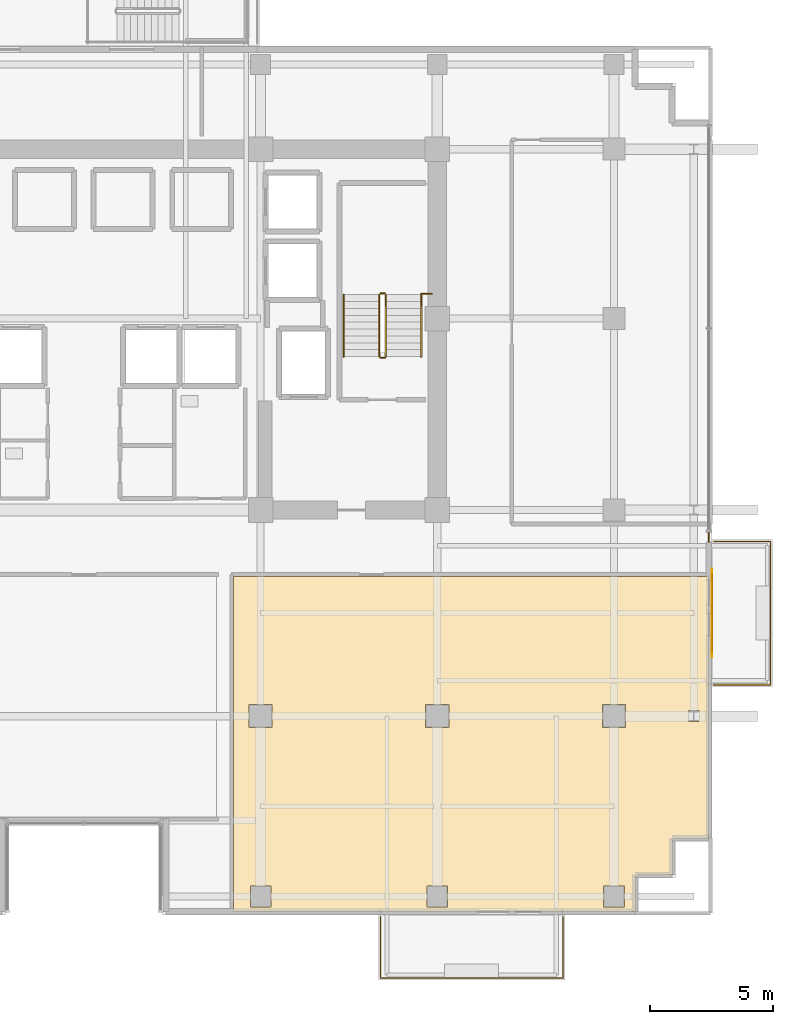
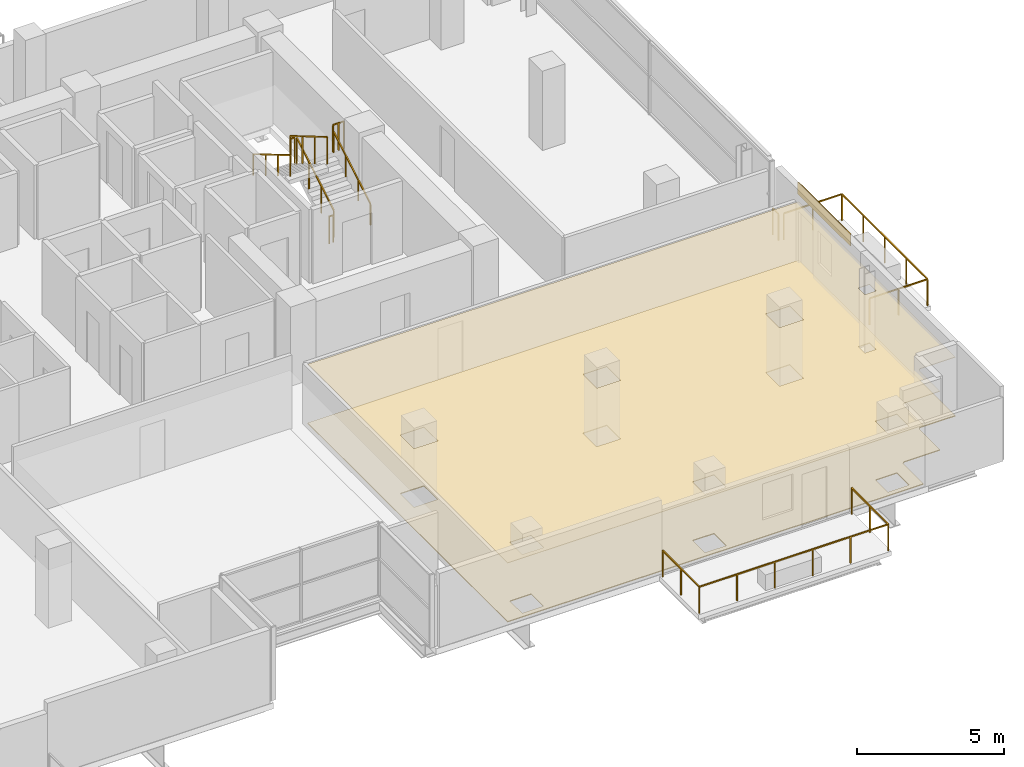
# One storey, part 25 of 27: 10 railings, 3 coverings, 1 shading device.
"""IFC4 building model written with IfcOpenShell, lengths in metres."""

from ifc_helpers import new_model, si_unit, direction, frame, origin, origin_2d, place, context, subcontext, project, spatial, polyline, rectangle, outline, extrude, source, transform, mapped, material, layer, layer_set, type_object, element, save


model = new_model("IFC4")

# Units and contexts
model_context = context("Model", 3, precision=1e-05, world=origin(), true_north=direction((0.0, 1.0)))
body_context = subcontext(model_context, "Body", "Model", "MODEL_VIEW")
ifc_project = project(units=[si_unit("LENGTHUNIT", "METRE"), si_unit("AREAUNIT", "SQUARE_METRE"), si_unit("VOLUMEUNIT", "CUBIC_METRE"), si_unit("PLANEANGLEUNIT", "RADIAN"), si_unit("MASSUNIT", "GRAM", prefix="KILO")], contexts=[model_context])

# Site, building, storey
site_placement = place(None, origin())
site = spatial("IfcSite", under=ifc_project, at=site_placement, CompositionType="ELEMENT")
building_placement = place(site_placement, origin())
building = spatial("IfcBuilding", under=site, at=building_placement, Name="Zarnakvel Exchange Tower", CompositionType="ELEMENT")
storey_placement = place(building_placement, frame((0.0, 0.0, 86.800048828125)))
storey = spatial("IfcBuildingStorey", under=building, at=storey_placement, Name="L23", CompositionType="ELEMENT", Elevation=86.800048828125)

# Coverings
ifc_material_1 = material(Name="Perforated Bronze Acoustic Metal Ceiling", Category="aluminium")
ifc_layer_1 = layer(ifc_material_1, 0.02001953125)
ifc_layer_set_1 = layer_set([ifc_layer_1], Name="Perforated Bronze Acoustic Metal Ceiling")
covering_type_1 = type_object("IfcCoveringType", Name="CLG-01", PredefinedType="CEILING", material=ifc_layer_set_1)
covering_1_placement = place(storey_placement, frame((0.0, 0.0, 2.454833984375)))
element("IfcCovering", 1, at=covering_1_placement, inside=storey, type_object=covering_type_1, Name="L23 Suspended Acoustic Ceiling (Executive Conference Room)", PredefinedType="CEILING", context=body_context, shape_type="SweptSolid", body=[
    extrude(outline(polyline([(6.10009765625, -3.909912109375), (25.449951171875, -3.909912109375), (25.449951171875, -14.580078125), (24.10009765625, -14.580078125), (24.088134765625, -14.58056640625), (24.07666015625, -14.582275390625), (24.065185546875, -14.585205078125), (24.05419921875, -14.589111328125), (24.04345703125, -14.59423828125), (24.033447265625, -14.600341796875), (24.02392578125, -14.607177734375), (24.01513671875, -14.615234375), (24.00732421875, -14.623779296875), (24.000244140625, -14.63330078125), (23.994140625, -14.643310546875), (23.989013671875, -14.654052734375), (23.985107421875, -14.665283203125), (23.982421875, -14.676513671875), (23.98046875, -14.688232421875), (23.97998046875, -14.699951171875), (23.97998046875, -16.080078125), (22.60009765625, -16.080078125), (22.588134765625, -16.08056640625), (22.57666015625, -16.082275390625), (22.565185546875, -16.085205078125), (22.55419921875, -16.089111328125), (22.54345703125, -16.09423828125), (22.533447265625, -16.100341796875), (22.52392578125, -16.107177734375), (22.51513671875, -16.115234375), (22.50732421875, -16.123779296875), (22.500244140625, -16.13330078125), (22.494140625, -16.143310546875), (22.489013671875, -16.154052734375), (22.485107421875, -16.165283203125), (22.482421875, -16.176513671875), (22.48046875, -16.188232421875), (22.47998046875, -16.199951171875), (22.47998046875, -17.550048828125), (6.10009765625, -17.550048828125), (6.10009765625, -3.909912109375)]), holes=[polyline([(25.072021484375, -9.823486328125), (25.072021484375, -9.37646484375), (24.6279296875, -9.37646484375), (24.6279296875, -9.823486328125), (25.072021484375, -9.823486328125)]), polyline([(22.070068359375, -10.070068359375), (22.070068359375, -9.1298828125), (21.1298828125, -9.1298828125), (21.1298828125, -10.070068359375), (22.070068359375, -10.070068359375)]), polyline([(22.02001953125, -17.3701171875), (22.02001953125, -16.530029296875), (21.179931640625, -16.530029296875), (21.179931640625, -17.3701171875), (22.02001953125, -17.3701171875)]), polyline([(13.929931640625, -10.070068359375), (14.8701171875, -10.070068359375), (14.8701171875, -9.1298828125), (13.929931640625, -9.1298828125), (13.929931640625, -10.070068359375)]), polyline([(14.820068359375, -17.3701171875), (14.820068359375, -16.530029296875), (13.97998046875, -16.530029296875), (13.97998046875, -17.3701171875), (14.820068359375, -17.3701171875)]), polyline([(6.72998046875, -10.070068359375), (7.669921875, -10.070068359375), (7.669921875, -9.1298828125), (6.72998046875, -9.1298828125), (6.72998046875, -10.070068359375)]), polyline([(7.6201171875, -17.3701171875), (7.6201171875, -16.530029296875), (6.780029296875, -16.530029296875), (6.780029296875, -17.3701171875), (7.6201171875, -17.3701171875)])]), origin(), (0.0, 0.0, 1.0), 0.02001953125),
])
ifc_material_2 = material(Name="Heavy-Duty Raised Access Floor Panel", Category="steel")
ifc_layer_2 = layer(ifc_material_2, 0.034912109375)
ifc_layer_set_2 = layer_set([ifc_layer_2], Name="Heavy-Duty Raised Access Floor Panel")
covering_type_2 = type_object("IfcCoveringType", Name="FLR-02", PredefinedType="FLOORING", material=ifc_layer_set_2)
covering_2_placement = place(storey_placement, origin())
element("IfcCovering", 2, at=covering_2_placement, inside=storey, type_object=covering_type_2, Name="L23 Floor Finish (Executive Conference Room)", PredefinedType="FLOORING", context=body_context, shape_type="SweptSolid", body=[
    extrude(outline(polyline([(6.10009765625, -3.909912109375), (25.449951171875, -3.909912109375), (25.449951171875, -14.580078125), (24.10009765625, -14.580078125), (24.088134765625, -14.58056640625), (24.07666015625, -14.582275390625), (24.065185546875, -14.585205078125), (24.05419921875, -14.589111328125), (24.04345703125, -14.59423828125), (24.033447265625, -14.600341796875), (24.02392578125, -14.607177734375), (24.01513671875, -14.615234375), (24.00732421875, -14.623779296875), (24.000244140625, -14.63330078125), (23.994140625, -14.643310546875), (23.989013671875, -14.654052734375), (23.985107421875, -14.665283203125), (23.982421875, -14.676513671875), (23.98046875, -14.688232421875), (23.97998046875, -14.699951171875), (23.97998046875, -16.080078125), (22.60009765625, -16.080078125), (22.588134765625, -16.08056640625), (22.57666015625, -16.082275390625), (22.565185546875, -16.085205078125), (22.55419921875, -16.089111328125), (22.54345703125, -16.09423828125), (22.533447265625, -16.100341796875), (22.52392578125, -16.107177734375), (22.51513671875, -16.115234375), (22.50732421875, -16.123779296875), (22.500244140625, -16.13330078125), (22.494140625, -16.143310546875), (22.489013671875, -16.154052734375), (22.485107421875, -16.165283203125), (22.482421875, -16.176513671875), (22.48046875, -16.188232421875), (22.47998046875, -16.199951171875), (22.47998046875, -17.550048828125), (6.10009765625, -17.550048828125), (6.10009765625, -3.909912109375)]), holes=[polyline([(25.072021484375, -9.823486328125), (25.072021484375, -9.37646484375), (24.6279296875, -9.37646484375), (24.6279296875, -9.823486328125), (25.072021484375, -9.823486328125)]), polyline([(22.070068359375, -10.070068359375), (22.070068359375, -9.1298828125), (21.1298828125, -9.1298828125), (21.1298828125, -10.070068359375), (22.070068359375, -10.070068359375)]), polyline([(22.02001953125, -17.3701171875), (22.02001953125, -16.530029296875), (21.179931640625, -16.530029296875), (21.179931640625, -17.3701171875), (22.02001953125, -17.3701171875)]), polyline([(13.929931640625, -10.070068359375), (14.8701171875, -10.070068359375), (14.8701171875, -9.1298828125), (13.929931640625, -9.1298828125), (13.929931640625, -10.070068359375)]), polyline([(14.820068359375, -17.3701171875), (14.820068359375, -16.530029296875), (13.97998046875, -16.530029296875), (13.97998046875, -17.3701171875), (14.820068359375, -17.3701171875)]), polyline([(6.72998046875, -10.070068359375), (7.669921875, -10.070068359375), (7.669921875, -9.1298828125), (6.72998046875, -9.1298828125), (6.72998046875, -10.070068359375)]), polyline([(7.6201171875, -17.3701171875), (7.6201171875, -16.530029296875), (6.780029296875, -16.530029296875), (6.780029296875, -17.3701171875), (7.6201171875, -17.3701171875)])]), origin(), (0.0, 0.0, 1.0), 0.034912109375),
])

# Railings
ifc_material_3 = material(Name="Architectural Bronze Anodised Aluminium", Category="aluminium")
railing_type_1 = type_object("IfcRailingType", Name="GR-02", PredefinedType="GUARDRAIL", material=ifc_material_3)
railing_1_placement = place(storey_placement, frame((12.080078125, -17.780029296875, -0.06005859375)))
element("IfcRailing", 3, at=railing_1_placement, inside=storey, type_object=railing_type_1, Name="L23 Balcony Guardrail BAL-L23-SE", PredefinedType="GUARDRAIL", context=body_context, shape_type="SweptSolid", body=[
    extrude(rectangle(XDim=0.048095703125, YDim=0.048095703125, at=origin_2d()), frame((0.0, 0.0, 1.09619140625), z_axis=(0.0, -1.0, 0.0), x_axis=(1.0, 0.0, 0.0)), (0.0, 0.0, 1.0), 2.489990234375),
    extrude(rectangle(XDim=0.048095703125, YDim=0.048095703125, at=origin_2d()), frame((0.0, -2.489990234375, 1.09619140625), z_axis=(1.0, 0.0, 0.0), x_axis=(0.0, 1.0, 0.0)), (0.0, 0.0, 1.0), 7.43994140625),
    extrude(rectangle(XDim=0.048095703125, YDim=0.048095703125, at=origin_2d()), frame((7.43994140625, -2.489990234375, 1.09619140625), z_axis=(0.0, 1.0, 0.0), x_axis=(-1.0, 0.0, 0.0)), (0.0, 0.0, 1.0), 2.489990234375),
    extrude(rectangle(XDim=0.0419921875, YDim=0.0419921875, at=origin_2d()), origin(), (0.0, 0.0, 1.0), 1.072021484375),
    extrude(rectangle(XDim=0.0419921875, YDim=0.0419921875, at=origin_2d()), frame((0.0, -1.2451171875, 0.0)), (0.0, 0.0, 1.0), 1.072021484375),
    extrude(rectangle(XDim=0.0419921875, YDim=0.0419921875, at=origin_2d()), frame((0.0, -2.489990234375, 0.0)), (0.0, 0.0, 1.0), 1.072021484375),
    extrude(rectangle(XDim=0.0419921875, YDim=0.0419921875, at=origin_2d()), frame((1.488037109375, -2.489990234375, 0.0)), (0.0, 0.0, 1.0), 1.072021484375),
    extrude(rectangle(XDim=0.0419921875, YDim=0.0419921875, at=origin_2d()), frame((2.97607421875, -2.489990234375, 0.0)), (0.0, 0.0, 1.0), 1.072021484375),
    extrude(rectangle(XDim=0.0419921875, YDim=0.0419921875, at=origin_2d()), frame((4.4638671875, -2.489990234375, 0.0)), (0.0, 0.0, 1.0), 1.072021484375),
    extrude(rectangle(XDim=0.0419921875, YDim=0.0419921875, at=origin_2d()), frame((5.951904296875, -2.489990234375, 0.0)), (0.0, 0.0, 1.0), 1.072021484375),
    extrude(rectangle(XDim=0.0419921875, YDim=0.0419921875, at=origin_2d()), frame((7.43994140625, -2.489990234375, 0.0)), (0.0, 0.0, 1.0), 1.072021484375),
    extrude(rectangle(XDim=0.0419921875, YDim=0.0419921875, at=origin_2d()), frame((7.43994140625, -1.2451171875, 0.0)), (0.0, 0.0, 1.0), 1.072021484375),
    extrude(rectangle(XDim=0.0419921875, YDim=0.0419921875, at=origin_2d()), frame((7.43994140625, 0.0, 0.0)), (0.0, 0.0, 1.0), 1.072021484375),
])
railing_2_placement = place(storey_placement, frame((25.679931640625, -8.320068359375, -0.06005859375)))
element("IfcRailing", 4, at=railing_2_placement, inside=storey, type_object=railing_type_1, Name="L23 Balcony Guardrail BAL-L23-E", PredefinedType="GUARDRAIL", context=body_context, shape_type="SweptSolid", body=[
    extrude(rectangle(XDim=0.048095703125, YDim=0.048095703125, at=origin_2d()), frame((0.0, 0.0, 1.09619140625), z_axis=(1.0, 0.0, 0.0), x_axis=(0.0, 1.0, 0.0)), (0.0, 0.0, 1.0), 2.2900390625),
    extrude(rectangle(XDim=0.048095703125, YDim=0.048095703125, at=origin_2d()), frame((2.2900390625, 0.0, 1.09619140625), z_axis=(0.0, 1.0, 0.0), x_axis=(-1.0, 0.0, 0.0)), (0.0, 0.0, 1.0), 5.840087890625),
    extrude(rectangle(XDim=0.048095703125, YDim=0.048095703125, at=origin_2d()), frame((2.2900390625, 5.840087890625, 1.09619140625), z_axis=(-1.0, 0.0, 0.0), x_axis=(0.0, -1.0, 0.0)), (0.0, 0.0, 1.0), 2.2900390625),
    extrude(rectangle(XDim=0.0419921875, YDim=0.0419921875, at=origin_2d()), origin(), (0.0, 0.0, 1.0), 1.072021484375),
    extrude(rectangle(XDim=0.0419921875, YDim=0.0419921875, at=origin_2d()), frame((1.14501953125, 0.0, 0.0)), (0.0, 0.0, 1.0), 1.072021484375),
    extrude(rectangle(XDim=0.0419921875, YDim=0.0419921875, at=origin_2d()), frame((2.2900390625, 0.0, 0.0)), (0.0, 0.0, 1.0), 1.072021484375),
    extrude(rectangle(XDim=0.0419921875, YDim=0.0419921875, at=origin_2d()), frame((2.2900390625, 1.4599609375, 0.0)), (0.0, 0.0, 1.0), 1.072021484375),
    extrude(rectangle(XDim=0.0419921875, YDim=0.0419921875, at=origin_2d()), frame((2.2900390625, 2.919921875, 0.0)), (0.0, 0.0, 1.0), 1.072021484375),
    extrude(rectangle(XDim=0.0419921875, YDim=0.0419921875, at=origin_2d()), frame((2.2900390625, 4.380126953125, 0.0)), (0.0, 0.0, 1.0), 1.072021484375),
    extrude(rectangle(XDim=0.0419921875, YDim=0.0419921875, at=origin_2d()), frame((2.2900390625, 5.840087890625, 0.0)), (0.0, 0.0, 1.0), 1.072021484375),
    extrude(rectangle(XDim=0.0419921875, YDim=0.0419921875, at=origin_2d()), frame((1.14501953125, 5.840087890625, 0.0)), (0.0, 0.0, 1.0), 1.072021484375),
    extrude(rectangle(XDim=0.0419921875, YDim=0.0419921875, at=origin_2d()), frame((0.0, 5.840087890625, 0.0)), (0.0, 0.0, 1.0), 1.072021484375),
])
railing_3_placement = place(storey_placement, frame((25.4599609375, -2.10009765625, 0.0)))
element("IfcRailing", 5, at=railing_3_placement, inside=storey, type_object=railing_type_1, Name="L23 Corner Spandrel Balustrade #11", PredefinedType="GUARDRAIL", context=body_context, shape_type="SweptSolid", body=[
    extrude(rectangle(XDim=0.048095703125, YDim=0.048095703125, at=origin_2d()), frame((0.0, 0.0, 1.09619140625), z_axis=(0.0, -1.0, 0.0), x_axis=(1.0, 0.0, 0.0)), (0.0, 0.0, 1.0), 0.39990234375),
    extrude(rectangle(XDim=0.0419921875, YDim=0.0419921875, at=origin_2d()), origin(), (0.0, 0.0, 1.0), 1.072021484375),
    extrude(rectangle(XDim=0.0419921875, YDim=0.0419921875, at=origin_2d()), frame((0.0, -0.39990234375, 0.0)), (0.0, 0.0, 1.0), 1.072021484375),
])
ifc_material_4 = material(Name="Brushed Stainless Steel", Category="steel")
railing_type_2 = type_object("IfcRailingType", Name="HR-01", PredefinedType="HANDRAIL", material=ifc_material_4)
railing_4_placement = place(storey_placement, frame((13.75, 5.050048828125, 0.1650390625)))
element("IfcRailing", 6, at=railing_4_placement, inside=storey, type_object=railing_type_2, Name="L23 ST-02 stair handrail 1", PredefinedType="HANDRAIL", context=body_context, shape_type="SweptSolid", body=[
    extrude(rectangle(XDim=0.048095703125, YDim=0.048095703125, at=origin_2d()), frame((0.0, 0.0, 0.8759765625), z_axis=(0.0, 0.861560626758, 0.507654692109), x_axis=(-1.0, 0.0, 0.0)), (0.0, 0.0, 1.0), 2.925048828125),
    extrude(rectangle(XDim=0.0419921875, YDim=0.0419921875, at=origin_2d()), origin(), (0.0, 0.0, 1.0), 0.851806640625),
    extrude(rectangle(XDim=0.0419921875, YDim=0.0419921875, at=origin_2d()), frame((0.0, 0.840087890625, 0.494873046875)), (0.0, 0.0, 1.0), 0.851806640625),
    extrude(rectangle(XDim=0.0419921875, YDim=0.0419921875, at=origin_2d()), frame((0.0, 1.679931640625, 0.989990234375)), (0.0, 0.0, 1.0), 0.851806640625),
    extrude(rectangle(XDim=0.0419921875, YDim=0.0419921875, at=origin_2d()), frame((0.0, 2.52001953125, 1.48486328125)), (0.0, 0.0, 1.0), 0.851806640625),
])
railing_5_placement = place(storey_placement, frame((10.590087890625, 7.570068359375, 1.81494140625)))
element("IfcRailing", 7, at=railing_5_placement, inside=storey, type_object=railing_type_2, Name="L23 ST-02 stair handrail 2", PredefinedType="HANDRAIL", context=body_context, shape_type="SweptSolid", body=[
    extrude(rectangle(XDim=0.048095703125, YDim=0.048095703125, at=origin_2d()), frame((0.0, 0.0, 0.8759765625), z_axis=(0.0, -0.86152411907, 0.507716645641), x_axis=(1.0, 0.0, 0.0)), (0.0, 0.0, 1.0), 2.925048828125),
    extrude(rectangle(XDim=0.0419921875, YDim=0.0419921875, at=origin_2d()), origin(), (0.0, 0.0, 1.0), 0.851806640625),
    extrude(rectangle(XDim=0.0419921875, YDim=0.0419921875, at=origin_2d()), frame((0.0, -0.840087890625, 0.4951171875)), (0.0, 0.0, 1.0), 0.851806640625),
    extrude(rectangle(XDim=0.0419921875, YDim=0.0419921875, at=origin_2d()), frame((0.0, -1.679931640625, 0.989990234375)), (0.0, 0.0, 1.0), 0.851806640625),
    extrude(rectangle(XDim=0.0419921875, YDim=0.0419921875, at=origin_2d()), frame((0.0, -2.52001953125, 1.485107421875)), (0.0, 0.0, 1.0), 0.851806640625),
])
railing_type_3 = type_object("IfcRailingType", Name="SG-01", PredefinedType="GUARDRAIL", material=ifc_material_3)
railing_6_placement = place(storey_placement, frame((12.300048828125, 5.050048828125, 0.1650390625)))
element("IfcRailing", 8, at=railing_6_placement, inside=storey, type_object=railing_type_3, Name="L23 ST-02 stair guard 1", PredefinedType="GUARDRAIL", context=body_context, shape_type="SweptSolid", body=[
    extrude(rectangle(XDim=0.048095703125, YDim=0.048095703125, at=origin_2d()), frame((0.0, 0.0, 1.1259765625), z_axis=(0.0, 0.861560626758, 0.507654692109), x_axis=(-1.0, 0.0, 0.0)), (0.0, 0.0, 1.0), 2.925048828125),
    extrude(rectangle(XDim=0.0419921875, YDim=0.0419921875, at=origin_2d()), origin(), (0.0, 0.0, 1.0), 1.101806640625),
    extrude(rectangle(XDim=0.0419921875, YDim=0.0419921875, at=origin_2d()), frame((0.0, 0.840087890625, 0.494873046875)), (0.0, 0.0, 1.0), 1.101806640625),
    extrude(rectangle(XDim=0.0419921875, YDim=0.0419921875, at=origin_2d()), frame((0.0, 1.679931640625, 0.989990234375)), (0.0, 0.0, 1.0), 1.101806640625),
    extrude(rectangle(XDim=0.0419921875, YDim=0.0419921875, at=origin_2d()), frame((0.0, 2.52001953125, 1.48486328125)), (0.0, 0.0, 1.0), 1.101806640625),
])
railing_7_placement = place(storey_placement, frame((12.25, 7.6201171875, 1.64990234375)))
element("IfcRailing", 9, at=railing_7_placement, inside=storey, type_object=railing_type_3, Name="L23 ST-02 stair guard 2", PredefinedType="GUARDRAIL", context=body_context, shape_type="SweptSolid", body=[
    extrude(rectangle(XDim=0.048095703125, YDim=0.048095703125, at=origin_2d()), frame((0.0, 0.0, 1.1259765625), z_axis=(-1.0, 0.0, 0.0), x_axis=(0.0, -1.0, 0.0)), (0.0, 0.0, 1.0), 0.159912109375),
    extrude(rectangle(XDim=0.0419921875, YDim=0.0419921875, at=origin_2d()), origin(), (0.0, 0.0, 1.0), 1.101806640625),
    extrude(rectangle(XDim=0.0419921875, YDim=0.0419921875, at=origin_2d()), frame((-0.159912109375, 0.0, 0.0)), (0.0, 0.0, 1.0), 1.101806640625),
])
railing_8_placement = place(storey_placement, frame((12.0400390625, 7.570068359375, 1.81494140625)))
element("IfcRailing", 10, at=railing_8_placement, inside=storey, type_object=railing_type_3, Name="L23 ST-02 stair guard 3", PredefinedType="GUARDRAIL", context=body_context, shape_type="SweptSolid", body=[
    extrude(rectangle(XDim=0.048095703125, YDim=0.048095703125, at=origin_2d()), frame((0.0, 0.0, 1.1259765625), z_axis=(0.0, -0.86152411907, 0.507716645641), x_axis=(1.0, 0.0, 0.0)), (0.0, 0.0, 1.0), 2.925048828125),
    extrude(rectangle(XDim=0.0419921875, YDim=0.0419921875, at=origin_2d()), origin(), (0.0, 0.0, 1.0), 1.101806640625),
    extrude(rectangle(XDim=0.0419921875, YDim=0.0419921875, at=origin_2d()), frame((0.0, -0.840087890625, 0.4951171875)), (0.0, 0.0, 1.0), 1.101806640625),
    extrude(rectangle(XDim=0.0419921875, YDim=0.0419921875, at=origin_2d()), frame((0.0, -1.679931640625, 0.989990234375)), (0.0, 0.0, 1.0), 1.101806640625),
    extrude(rectangle(XDim=0.0419921875, YDim=0.0419921875, at=origin_2d()), frame((0.0, -2.52001953125, 1.485107421875)), (0.0, 0.0, 1.0), 1.101806640625),
])
railing_9_placement = place(storey_placement, frame((12.25, 5.0, 0.0)))
element("IfcRailing", 11, at=railing_9_placement, inside=storey, type_object=railing_type_3, Name="L23 ST-02 stair guard 4", PredefinedType="GUARDRAIL", context=body_context, shape_type="SweptSolid", body=[
    extrude(rectangle(XDim=0.048095703125, YDim=0.048095703125, at=origin_2d()), frame((0.0, 0.0, 1.1259765625), z_axis=(-1.0, 0.0, 0.0), x_axis=(0.0, -1.0, 0.0)), (0.0, 0.0, 1.0), 0.159912109375),
    extrude(rectangle(XDim=0.0419921875, YDim=0.0419921875, at=origin_2d()), origin(), (0.0, 0.0, 1.0), 1.101806640625),
    extrude(rectangle(XDim=0.0419921875, YDim=0.0419921875, at=origin_2d()), frame((-0.159912109375, 0.0, 0.0)), (0.0, 0.0, 1.0), 1.101806640625),
])
railing_10_placement = place(storey_placement, frame((13.75, 7.610107421875, 1.64990234375)))
element("IfcRailing", 12, at=railing_10_placement, inside=storey, type_object=railing_type_3, Name="L23 ST-02 Landing Slot Guardrail", PredefinedType="GUARDRAIL", context=body_context, shape_type="SweptSolid", body=[
    extrude(rectangle(XDim=0.048095703125, YDim=0.048095703125, at=origin_2d()), frame((0.0, 0.0, 1.1259765625), z_axis=(1.0, 0.0, 0.0), x_axis=(0.0, 1.0, 0.0)), (0.0, 0.0, 1.0), 0.429931640625),
    extrude(rectangle(XDim=0.0419921875, YDim=0.0419921875, at=origin_2d()), origin(), (0.0, 0.0, 1.0), 1.101806640625),
    extrude(rectangle(XDim=0.0419921875, YDim=0.0419921875, at=origin_2d()), frame((0.21484375, 0.0, 0.0)), (0.0, 0.0, 1.0), 1.101806640625),
    extrude(rectangle(XDim=0.0419921875, YDim=0.0419921875, at=origin_2d()), frame((0.429931640625, 0.0, 0.0)), (0.0, 0.0, 1.0), 1.101806640625),
])

# Covering
ifc_material_5 = material(Name="Warm Sandstone Terracotta Spandrel Tile", Category="masonry")
ifc_layer_3 = layer(ifc_material_5, 0.031982421875)
ifc_layer_set_3 = layer_set([ifc_layer_3], Name="Warm Sandstone Terracotta Spandrel Tile")
covering_type_3 = type_object("IfcCoveringType", Name="CL-02", PredefinedType="CLADDING", material=ifc_layer_set_3)
shared_shape_1 = source(origin(), body_context, "Body", "SweptSolid", [
    extrude(rectangle(XDim=3.60009765625, YDim=0.031982421875, at=origin_2d()), origin(), (0.0, 0.0, 1.0), 0.4951171875),
])
covering_3_placement = place(storey_placement, frame((25.593994140625, -5.39990234375, 2.559814453125), z_axis=(0.0, 0.0, 1.0), x_axis=(0.0, -1.0, 0.0)))
element("IfcCovering", 13, at=covering_3_placement, inside=storey, type_object=covering_type_3, Name="L23 Ceramic Spandrel Tilework CL-02", PredefinedType="CLADDING", context=body_context, shape_type="MappedRepresentation", body=[
    mapped(shared_shape_1, transform((0.0, 0.0, 0.0), x_axis=(1.0, 0.0, 0.0), y_axis=(0.0, 1.0, 0.0), z_axis=(0.0, 0.0, 1.0), scale=1.0)),
])

# Shading device
ifc_material_6 = material(Name="Perforated Architectural Bronze Screen", Category="aluminium")
ifc_layer_4 = layer(ifc_material_6, 0.044921875)
ifc_layer_set_4 = layer_set([ifc_layer_4], Name="Perforated Architectural Bronze Screen")
shading_device_type = type_object("IfcShadingDeviceType", Name="SS-01", PredefinedType="JALOUSIE", material=ifc_layer_set_4)
shared_shape_2 = source(origin(), body_context, "Body", "SweptSolid", [
    extrude(rectangle(XDim=3.199951171875, YDim=0.044921875, at=origin_2d()), origin(), (0.0, 0.0, 1.0), 0.4951171875),
])
shading_device_placement = place(storey_placement, frame((25.6005859375, -5.39990234375, 2.559814453125), z_axis=(0.0, 0.0, 1.0), x_axis=(0.0, -1.0, 0.0)))
element("IfcShadingDevice", 14, at=shading_device_placement, inside=storey, type_object=shading_device_type, Name="L23 Bronze Solar Shading Screen SS-01", PredefinedType="JALOUSIE", context=body_context, shape_type="MappedRepresentation", body=[
    mapped(shared_shape_2, transform((0.0, 0.0, 0.0), x_axis=(1.0, 0.0, 0.0), y_axis=(0.0, 1.0, 0.0), z_axis=(0.0, 0.0, 1.0), scale=1.0)),
])

save(model, "model.ifc")
